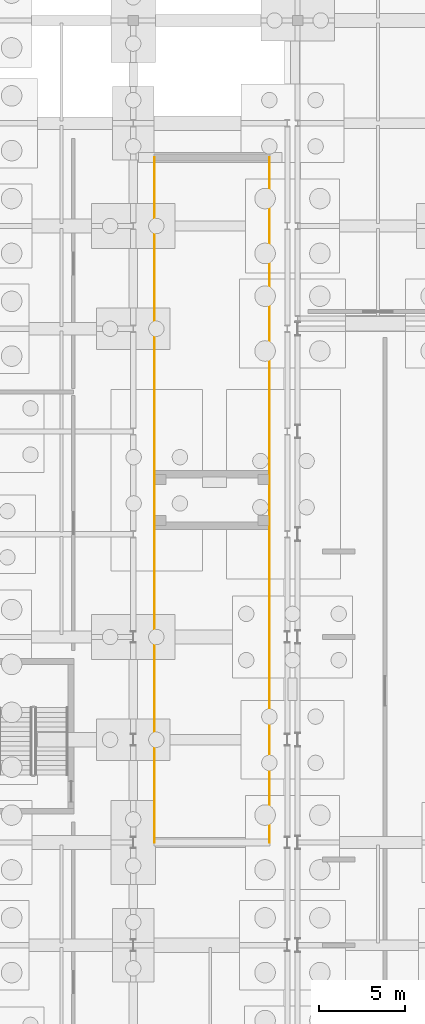
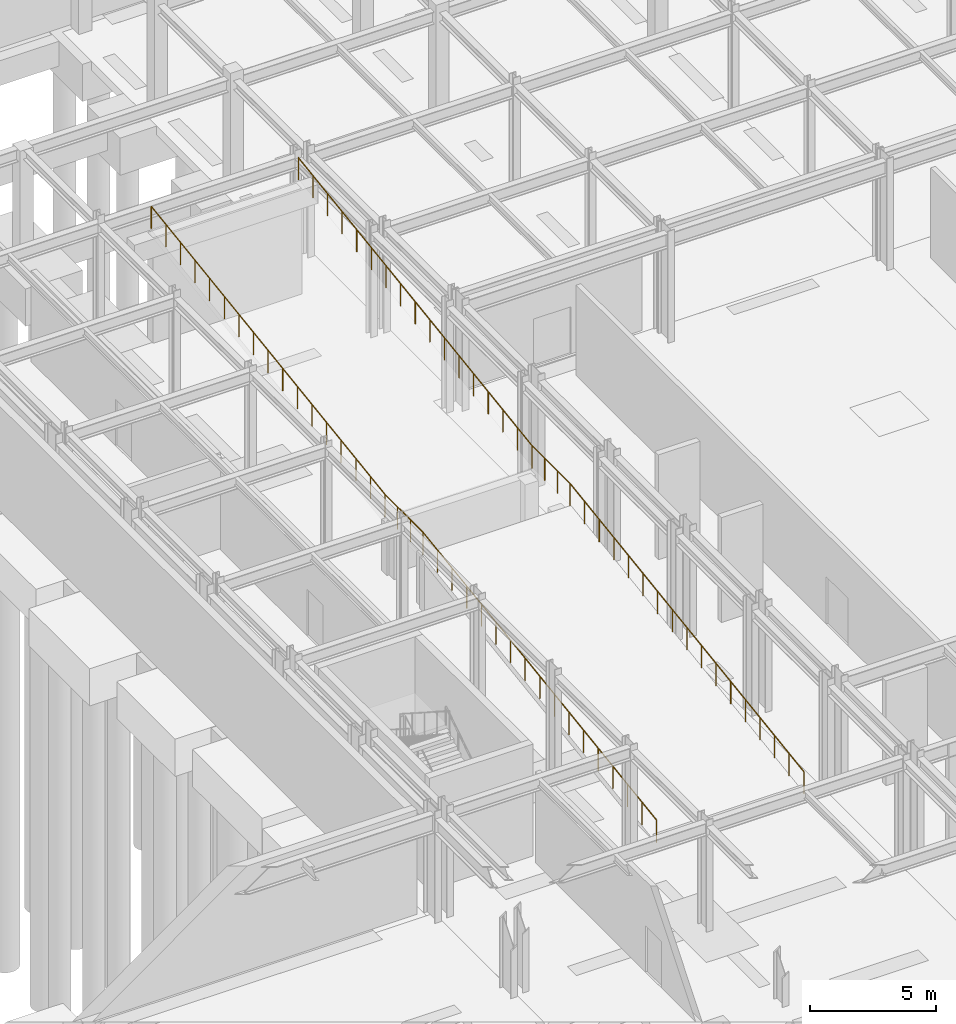
# One storey, part 64 of 65: 2 railings.
"""IFC4 building model written with IfcOpenShell, lengths in metres."""

from ifc_helpers import new_model, si_unit, direction, frame, origin, origin_2d, place, context, subcontext, project, spatial, circle, extrude, material, type_object, element, save


model = new_model("IFC4")

# Units and contexts
model_context = context("Model", 3, precision=1e-05, world=origin(), true_north=direction((0.0, 1.0)))
body_context = subcontext(model_context, "Body", "Model", "MODEL_VIEW")
ifc_project = project(units=[si_unit("LENGTHUNIT", "METRE"), si_unit("AREAUNIT", "SQUARE_METRE"), si_unit("VOLUMEUNIT", "CUBIC_METRE"), si_unit("PLANEANGLEUNIT", "RADIAN"), si_unit("MASSUNIT", "GRAM", prefix="KILO")], contexts=[model_context])

# Site, building, storey
site_placement = place(None, origin())
site = spatial("IfcSite", under=ifc_project, at=site_placement, CompositionType="ELEMENT")
building_placement = place(site_placement, origin())
building = spatial("IfcBuilding", under=site, at=building_placement, Name="Kaldris Quays Convention Centre", CompositionType="ELEMENT")
storey_placement = place(building_placement, frame((0.0, 0.0, -5.39990234375)))
storey = spatial("IfcBuildingStorey", under=building, at=storey_placement, Name="B1", CompositionType="ELEMENT", Elevation=-5.39990234375)

# Railings
ifc_material = material(Name="Steel S355J2", Category="steel")
railing_type = type_object("IfcRailingType", Name="INTERIOR GUARDRAIL GR01", PredefinedType="GUARDRAIL", material=ifc_material)
railing_1_placement = place(storey_placement, frame((156.239990234375, 74.0, 0.0)))
element("IfcRailing", 1, at=railing_1_placement, inside=storey, type_object=railing_type, Name="B1 Vehicle Ramp Safety Guard GR01 1", PredefinedType="GUARDRAIL", context=body_context, shape_type="SweptSolid", body=[
    extrude(circle(Radius=0.02392578125, at=origin_2d()), frame((0.0, 0.0, 1.076171875), z_axis=(0.0, 0.989517436154, 0.144413446559), x_axis=(-1.0, 0.0, 0.0)), (0.0, 0.0, 1.0), 18.696044921875),
    extrude(circle(Radius=0.02392578125, at=origin_2d()), frame((0.0, 18.5, 3.77587890625), z_axis=(0.0, 1.0, 0.0), x_axis=(-1.0, 0.0, 0.0)), (0.0, 0.0, 1.0), 3.0),
    extrude(circle(Radius=0.02392578125, at=origin_2d()), frame((0.0, 21.5, 3.77587890625), z_axis=(0.0, 0.989517436154, 0.144413446559), x_axis=(-1.0, 0.0, 0.0)), (0.0, 0.0, 1.0), 18.696044921875),
    extrude(circle(Radius=0.02099609375, at=origin_2d()), origin(), (0.0, 0.0, 1.0), 1.052001953125),
    extrude(circle(Radius=0.02099609375, at=origin_2d()), frame((0.0, 1.15625, 0.168701171875)), (0.0, 0.0, 1.0), 1.052001953125),
    extrude(circle(Radius=0.02099609375, at=origin_2d()), frame((0.0, 2.3125, 0.33740234375)), (0.0, 0.0, 1.0), 1.052001953125),
    extrude(circle(Radius=0.02099609375, at=origin_2d()), frame((0.0, 3.46875, 0.50634765625)), (0.0, 0.0, 1.0), 1.052001953125),
    extrude(circle(Radius=0.02099609375, at=origin_2d()), frame((0.0, 4.625, 0.675048828125)), (0.0, 0.0, 1.0), 1.052001953125),
    extrude(circle(Radius=0.02099609375, at=origin_2d()), frame((0.0, 5.78125, 0.84375)), (0.0, 0.0, 1.0), 1.052001953125),
    extrude(circle(Radius=0.02099609375, at=origin_2d()), frame((0.0, 6.9375, 1.012451171875)), (0.0, 0.0, 1.0), 1.052001953125),
    extrude(circle(Radius=0.02099609375, at=origin_2d()), frame((0.0, 8.09375, 1.18115234375)), (0.0, 0.0, 1.0), 1.052001953125),
    extrude(circle(Radius=0.02099609375, at=origin_2d()), frame((0.0, 9.25, 1.35009765625)), (0.0, 0.0, 1.0), 1.052001953125),
    extrude(circle(Radius=0.02099609375, at=origin_2d()), frame((0.0, 10.40625, 1.518798828125)), (0.0, 0.0, 1.0), 1.052001953125),
    extrude(circle(Radius=0.02099609375, at=origin_2d()), frame((0.0, 11.5625, 1.6875)), (0.0, 0.0, 1.0), 1.052001953125),
    extrude(circle(Radius=0.02099609375, at=origin_2d()), frame((0.0, 12.71875, 1.856201171875)), (0.0, 0.0, 1.0), 1.052001953125),
    extrude(circle(Radius=0.02099609375, at=origin_2d()), frame((0.0, 13.875, 2.02490234375)), (0.0, 0.0, 1.0), 1.052001953125),
    extrude(circle(Radius=0.02099609375, at=origin_2d()), frame((0.0, 15.03125, 2.193603515625)), (0.0, 0.0, 1.0), 1.052001953125),
    extrude(circle(Radius=0.02099609375, at=origin_2d()), frame((0.0, 16.1875, 2.362548828125)), (0.0, 0.0, 1.0), 1.052001953125),
    extrude(circle(Radius=0.02099609375, at=origin_2d()), frame((0.0, 17.34375, 2.53125)), (0.0, 0.0, 1.0), 1.052001953125),
    extrude(circle(Radius=0.02099609375, at=origin_2d()), frame((0.0, 18.5, 2.699951171875)), (0.0, 0.0, 1.0), 1.052001953125),
    extrude(circle(Radius=0.02099609375, at=origin_2d()), frame((0.0, 19.5, 2.699951171875)), (0.0, 0.0, 1.0), 1.052001953125),
    extrude(circle(Radius=0.02099609375, at=origin_2d()), frame((0.0, 20.5, 2.699951171875)), (0.0, 0.0, 1.0), 1.052001953125),
    extrude(circle(Radius=0.02099609375, at=origin_2d()), frame((0.0, 21.5, 2.699951171875)), (0.0, 0.0, 1.0), 1.052001953125),
    extrude(circle(Radius=0.02099609375, at=origin_2d()), frame((0.0, 22.65625, 2.86865234375)), (0.0, 0.0, 1.0), 1.052001953125),
    extrude(circle(Radius=0.02099609375, at=origin_2d()), frame((0.0, 23.8125, 3.037353515625)), (0.0, 0.0, 1.0), 1.052001953125),
    extrude(circle(Radius=0.02099609375, at=origin_2d()), frame((0.0, 24.96875, 3.206298828125)), (0.0, 0.0, 1.0), 1.052001953125),
    extrude(circle(Radius=0.02099609375, at=origin_2d()), frame((0.0, 26.125, 3.375)), (0.0, 0.0, 1.0), 1.052001953125),
    extrude(circle(Radius=0.02099609375, at=origin_2d()), frame((0.0, 27.28125, 3.543701171875)), (0.0, 0.0, 1.0), 1.052001953125),
    extrude(circle(Radius=0.02099609375, at=origin_2d()), frame((0.0, 28.4375, 3.71240234375)), (0.0, 0.0, 1.0), 1.052001953125),
    extrude(circle(Radius=0.02099609375, at=origin_2d()), frame((0.0, 29.59375, 3.881103515625)), (0.0, 0.0, 1.0), 1.052001953125),
    extrude(circle(Radius=0.02099609375, at=origin_2d()), frame((0.0, 30.75, 4.0498046875)), (0.0, 0.0, 1.0), 1.052001953125),
    extrude(circle(Radius=0.02099609375, at=origin_2d()), frame((0.0, 31.90625, 4.21875)), (0.0, 0.0, 1.0), 1.052001953125),
    extrude(circle(Radius=0.02099609375, at=origin_2d()), frame((0.0, 33.0625, 4.387451171875)), (0.0, 0.0, 1.0), 1.052001953125),
    extrude(circle(Radius=0.02099609375, at=origin_2d()), frame((0.0, 34.21875, 4.55615234375)), (0.0, 0.0, 1.0), 1.052001953125),
    extrude(circle(Radius=0.02099609375, at=origin_2d()), frame((0.0, 35.375, 4.724853515625)), (0.0, 0.0, 1.0), 1.052001953125),
    extrude(circle(Radius=0.02099609375, at=origin_2d()), frame((0.0, 36.53125, 4.8935546875)), (0.0, 0.0, 1.0), 1.052001953125),
    extrude(circle(Radius=0.02099609375, at=origin_2d()), frame((0.0, 37.6875, 5.0625)), (0.0, 0.0, 1.0), 1.052001953125),
    extrude(circle(Radius=0.02099609375, at=origin_2d()), frame((0.0, 38.84375, 5.231201171875)), (0.0, 0.0, 1.0), 1.052001953125),
    extrude(circle(Radius=0.02099609375, at=origin_2d()), frame((0.0, 40.0, 5.39990234375)), (0.0, 0.0, 1.0), 1.052001953125),
])
railing_2_placement = place(storey_placement, frame((162.9599609375, 74.0, 0.0)))
element("IfcRailing", 2, at=railing_2_placement, inside=storey, type_object=railing_type, Name="B1 Vehicle Ramp Safety Guard GR01 2", PredefinedType="GUARDRAIL", context=body_context, shape_type="SweptSolid", body=[
    extrude(circle(Radius=0.02392578125, at=origin_2d()), frame((0.0, 0.0, 1.076171875), z_axis=(0.0, 0.989517436154, 0.144413446559), x_axis=(-1.0, 0.0, 0.0)), (0.0, 0.0, 1.0), 18.696044921875),
    extrude(circle(Radius=0.02392578125, at=origin_2d()), frame((0.0, 18.5, 3.77587890625), z_axis=(0.0, 1.0, 0.0), x_axis=(-1.0, 0.0, 0.0)), (0.0, 0.0, 1.0), 3.0),
    extrude(circle(Radius=0.02392578125, at=origin_2d()), frame((0.0, 21.5, 3.77587890625), z_axis=(0.0, 0.989517436154, 0.144413446559), x_axis=(-1.0, 0.0, 0.0)), (0.0, 0.0, 1.0), 18.696044921875),
    extrude(circle(Radius=0.02099609375, at=origin_2d()), origin(), (0.0, 0.0, 1.0), 1.052001953125),
    extrude(circle(Radius=0.02099609375, at=origin_2d()), frame((0.0, 1.15625, 0.168701171875)), (0.0, 0.0, 1.0), 1.052001953125),
    extrude(circle(Radius=0.02099609375, at=origin_2d()), frame((0.0, 2.3125, 0.33740234375)), (0.0, 0.0, 1.0), 1.052001953125),
    extrude(circle(Radius=0.02099609375, at=origin_2d()), frame((0.0, 3.46875, 0.50634765625)), (0.0, 0.0, 1.0), 1.052001953125),
    extrude(circle(Radius=0.02099609375, at=origin_2d()), frame((0.0, 4.625, 0.675048828125)), (0.0, 0.0, 1.0), 1.052001953125),
    extrude(circle(Radius=0.02099609375, at=origin_2d()), frame((0.0, 5.78125, 0.84375)), (0.0, 0.0, 1.0), 1.052001953125),
    extrude(circle(Radius=0.02099609375, at=origin_2d()), frame((0.0, 6.9375, 1.012451171875)), (0.0, 0.0, 1.0), 1.052001953125),
    extrude(circle(Radius=0.02099609375, at=origin_2d()), frame((0.0, 8.09375, 1.18115234375)), (0.0, 0.0, 1.0), 1.052001953125),
    extrude(circle(Radius=0.02099609375, at=origin_2d()), frame((0.0, 9.25, 1.35009765625)), (0.0, 0.0, 1.0), 1.052001953125),
    extrude(circle(Radius=0.02099609375, at=origin_2d()), frame((0.0, 10.40625, 1.518798828125)), (0.0, 0.0, 1.0), 1.052001953125),
    extrude(circle(Radius=0.02099609375, at=origin_2d()), frame((0.0, 11.5625, 1.6875)), (0.0, 0.0, 1.0), 1.052001953125),
    extrude(circle(Radius=0.02099609375, at=origin_2d()), frame((0.0, 12.71875, 1.856201171875)), (0.0, 0.0, 1.0), 1.052001953125),
    extrude(circle(Radius=0.02099609375, at=origin_2d()), frame((0.0, 13.875, 2.02490234375)), (0.0, 0.0, 1.0), 1.052001953125),
    extrude(circle(Radius=0.02099609375, at=origin_2d()), frame((0.0, 15.03125, 2.193603515625)), (0.0, 0.0, 1.0), 1.052001953125),
    extrude(circle(Radius=0.02099609375, at=origin_2d()), frame((0.0, 16.1875, 2.362548828125)), (0.0, 0.0, 1.0), 1.052001953125),
    extrude(circle(Radius=0.02099609375, at=origin_2d()), frame((0.0, 17.34375, 2.53125)), (0.0, 0.0, 1.0), 1.052001953125),
    extrude(circle(Radius=0.02099609375, at=origin_2d()), frame((0.0, 18.5, 2.699951171875)), (0.0, 0.0, 1.0), 1.052001953125),
    extrude(circle(Radius=0.02099609375, at=origin_2d()), frame((0.0, 19.5, 2.699951171875)), (0.0, 0.0, 1.0), 1.052001953125),
    extrude(circle(Radius=0.02099609375, at=origin_2d()), frame((0.0, 20.5, 2.699951171875)), (0.0, 0.0, 1.0), 1.052001953125),
    extrude(circle(Radius=0.02099609375, at=origin_2d()), frame((0.0, 21.5, 2.699951171875)), (0.0, 0.0, 1.0), 1.052001953125),
    extrude(circle(Radius=0.02099609375, at=origin_2d()), frame((0.0, 22.65625, 2.86865234375)), (0.0, 0.0, 1.0), 1.052001953125),
    extrude(circle(Radius=0.02099609375, at=origin_2d()), frame((0.0, 23.8125, 3.037353515625)), (0.0, 0.0, 1.0), 1.052001953125),
    extrude(circle(Radius=0.02099609375, at=origin_2d()), frame((0.0, 24.96875, 3.206298828125)), (0.0, 0.0, 1.0), 1.052001953125),
    extrude(circle(Radius=0.02099609375, at=origin_2d()), frame((0.0, 26.125, 3.375)), (0.0, 0.0, 1.0), 1.052001953125),
    extrude(circle(Radius=0.02099609375, at=origin_2d()), frame((0.0, 27.28125, 3.543701171875)), (0.0, 0.0, 1.0), 1.052001953125),
    extrude(circle(Radius=0.02099609375, at=origin_2d()), frame((0.0, 28.4375, 3.71240234375)), (0.0, 0.0, 1.0), 1.052001953125),
    extrude(circle(Radius=0.02099609375, at=origin_2d()), frame((0.0, 29.59375, 3.881103515625)), (0.0, 0.0, 1.0), 1.052001953125),
    extrude(circle(Radius=0.02099609375, at=origin_2d()), frame((0.0, 30.75, 4.0498046875)), (0.0, 0.0, 1.0), 1.052001953125),
    extrude(circle(Radius=0.02099609375, at=origin_2d()), frame((0.0, 31.90625, 4.21875)), (0.0, 0.0, 1.0), 1.052001953125),
    extrude(circle(Radius=0.02099609375, at=origin_2d()), frame((0.0, 33.0625, 4.387451171875)), (0.0, 0.0, 1.0), 1.052001953125),
    extrude(circle(Radius=0.02099609375, at=origin_2d()), frame((0.0, 34.21875, 4.55615234375)), (0.0, 0.0, 1.0), 1.052001953125),
    extrude(circle(Radius=0.02099609375, at=origin_2d()), frame((0.0, 35.375, 4.724853515625)), (0.0, 0.0, 1.0), 1.052001953125),
    extrude(circle(Radius=0.02099609375, at=origin_2d()), frame((0.0, 36.53125, 4.8935546875)), (0.0, 0.0, 1.0), 1.052001953125),
    extrude(circle(Radius=0.02099609375, at=origin_2d()), frame((0.0, 37.6875, 5.0625)), (0.0, 0.0, 1.0), 1.052001953125),
    extrude(circle(Radius=0.02099609375, at=origin_2d()), frame((0.0, 38.84375, 5.231201171875)), (0.0, 0.0, 1.0), 1.052001953125),
    extrude(circle(Radius=0.02099609375, at=origin_2d()), frame((0.0, 40.0, 5.39990234375)), (0.0, 0.0, 1.0), 1.052001953125),
])

save(model, "model.ifc")
